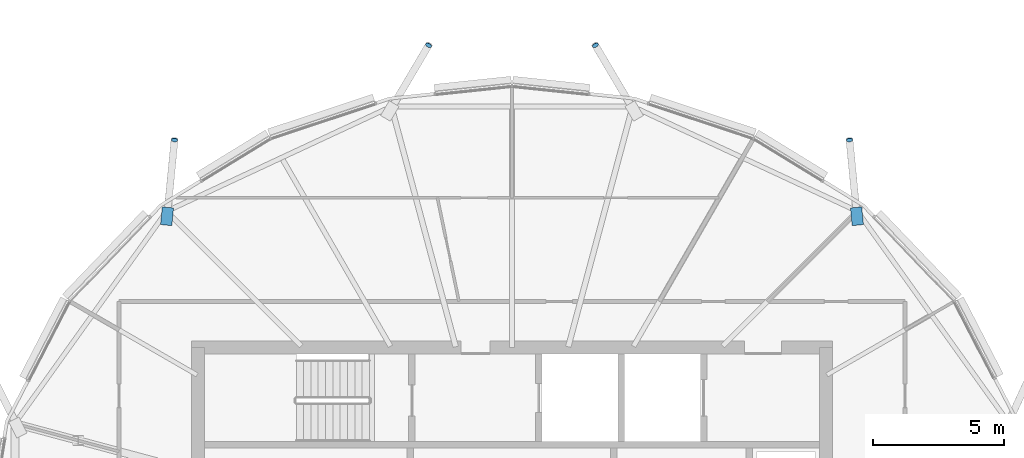
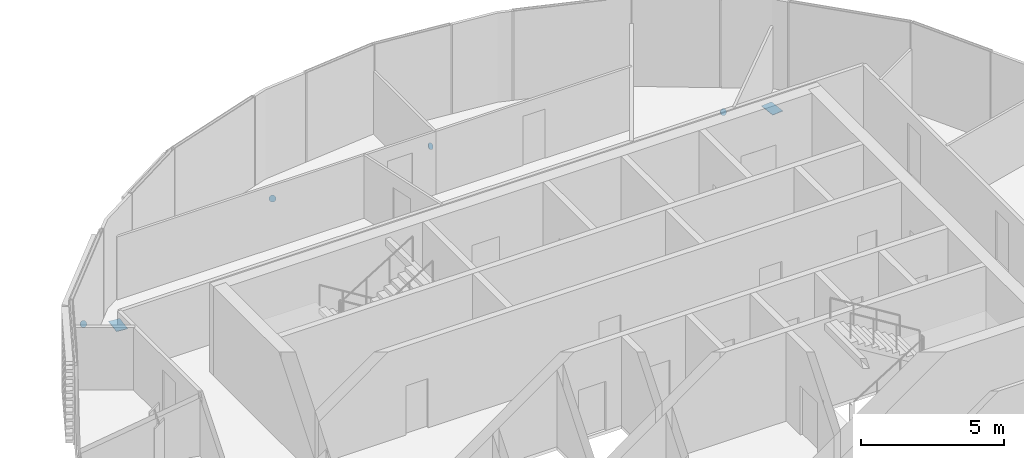
# One storey, part 26 of 34: 6 discrete accessories.
"""IFC4 building model written with IfcOpenShell, lengths in metres."""

from ifc_helpers import new_model, si_unit, direction, frame, origin, origin_2d, place, context, subcontext, project, spatial, polyline, rectangle, circle, outline, extrude, material, material_profile, profile_set, type_object, element, save


model = new_model("IFC4")

# Units and contexts
model_context = context("Model", 3, precision=1e-05, world=origin(), true_north=direction((0.0, 1.0)))
body_context = subcontext(model_context, "Body", "Model", "MODEL_VIEW")
ifc_project = project(units=[si_unit("LENGTHUNIT", "METRE"), si_unit("AREAUNIT", "SQUARE_METRE"), si_unit("VOLUMEUNIT", "CUBIC_METRE"), si_unit("PLANEANGLEUNIT", "RADIAN"), si_unit("MASSUNIT", "GRAM", prefix="KILO")], contexts=[model_context])

# Site, building, storey
site_placement = place(None, origin())
site = spatial("IfcSite", under=ifc_project, at=site_placement, CompositionType="ELEMENT")
building_placement = place(site_placement, origin())
building = spatial("IfcBuilding", under=site, at=building_placement, Name="Rimbun Link Towers", CompositionType="ELEMENT")
storey_placement = place(building_placement, frame((0.0, 0.0, 252.300048828125)))
storey = spatial("IfcBuildingStorey", under=building, at=storey_placement, Name="L62", CompositionType="ELEMENT", Elevation=252.300048828125)

# Discrete accessories
ifc_material_1 = material(Name="Steel S355J2H", Category="steel")
ifc_material_profile_1 = material_profile(ifc_material_1, circle(Radius=0.1240234375, at=origin_2d()), Name="PL D248")
ifc_profile_set_1 = profile_set([ifc_material_profile_1], Name="Steel S355J2H")
discrete_accessory_type_1 = type_object("IfcDiscreteAccessoryType", Name="Link foot sealing plate D248X20", PredefinedType="BRACKET", material=ifc_profile_set_1)
discrete_accessory_1_placement = place(storey_placement, frame((-18.843505859375, 15.929931640625, -2.37255859375), z_axis=(-0.084899954968, 0.848999549684, -0.521528294806), x_axis=(-0.99503719021, -0.099503719021, 0.0)))
element("IfcDiscreteAccessory", 1, at=discrete_accessory_1_placement, inside=storey, type_object=discrete_accessory_type_1, Name="Link foot sealing plate T1 L62 03", PredefinedType="BRACKET", context=body_context, shape_type="SweptSolid", body=[
    extrude(circle(Radius=0.1240234375, at=origin_2d()), origin(), (0.0, 0.0, 1.0), 0.02001953125),
])
for number, where, z_axis, x_axis, name in (
    (2, (-28.55908203125, 19.553466796875, -2.62158203125), (-0.430364013545, 0.713174651018, -0.553325160273), (-0.856187661066, -0.516664967884, 0.0), "Link foot sealing plate T1 L62 05"),
    (3, (-34.94091796875, 19.553466796875, -2.62158203125), (0.430364013545, 0.713174651018, -0.553325160273), (-0.856187661066, 0.516664967884, 0.0), "Link foot sealing plate T1 L62 07"),
):
    element("IfcDiscreteAccessory", number, at=place(storey_placement, frame(where, z_axis=z_axis, x_axis=x_axis)), inside=storey, type_object=discrete_accessory_type_1, Name=name, PredefinedType="BRACKET", context=body_context, shape_type="SweptSolid", body=[
        extrude(circle(Radius=0.1240234375, at=origin_2d()), origin(), (0.0, 0.0, 1.0), 0.019775390625),
    ])
discrete_accessory_2_placement = place(storey_placement, frame((-44.656494140625, 15.929931640625, -2.37255859375), z_axis=(0.084899954968, 0.848999549684, -0.521528294806), x_axis=(-0.99503719021, 0.099503719021, 0.0)))
element("IfcDiscreteAccessory", 4, at=discrete_accessory_2_placement, inside=storey, type_object=discrete_accessory_type_1, Name="Link foot sealing plate T1 L62 09", PredefinedType="BRACKET", context=body_context, shape_type="SweptSolid", body=[
    extrude(circle(Radius=0.1240234375, at=origin_2d()), origin(), (0.0, 0.0, 1.0), 0.02001953125),
])
ifc_material_2 = material(Name="Steel S355J2H", Category="steel")
ifc_material_profile_2 = material_profile(ifc_material_2, rectangle(XDim=0.43310546875, YDim=0.43310546875, at=origin_2d()), Name="PL 433x433")
ifc_profile_set_2 = profile_set([ifc_material_profile_2], Name="Steel S355J2H")
discrete_accessory_type_2 = type_object("IfcDiscreteAccessoryType", Name="Link head end plate 433X20", PredefinedType="BRACKET", material=ifc_profile_set_2)
discrete_accessory_3_placement = place(storey_placement, frame((0.0, 0.0, -0.56640625)))
element("IfcDiscreteAccessory", 5, at=discrete_accessory_3_placement, inside=storey, type_object=discrete_accessory_type_2, Name="Link head end plate T1 L62 03", PredefinedType="BRACKET", context=body_context, shape_type="SweptSolid", body=[
    extrude(outline(polyline([(-18.3115234375, 12.702880859375), (-18.37744140625, 13.379150390625), (-18.808349609375, 13.337158203125), (-18.742431640625, 12.660888671875), (-18.3115234375, 12.702880859375)])), origin(), (0.0, 0.0, 1.0), 0.02001953125),
])
discrete_accessory_4_placement = place(storey_placement, frame((0.0, 0.0, -0.56640625)))
element("IfcDiscreteAccessory", 6, at=discrete_accessory_4_placement, inside=storey, type_object=discrete_accessory_type_2, Name="Link head end plate T1 L62 09", PredefinedType="BRACKET", context=body_context, shape_type="SweptSolid", body=[
    extrude(outline(polyline([(-44.757568359375, 12.660888671875), (-44.691650390625, 13.337158203125), (-45.12255859375, 13.379150390625), (-45.1884765625, 12.702880859375), (-44.757568359375, 12.660888671875)])), origin(), (0.0, 0.0, 1.0), 0.02001953125),
])

save(model, "model.ifc")
